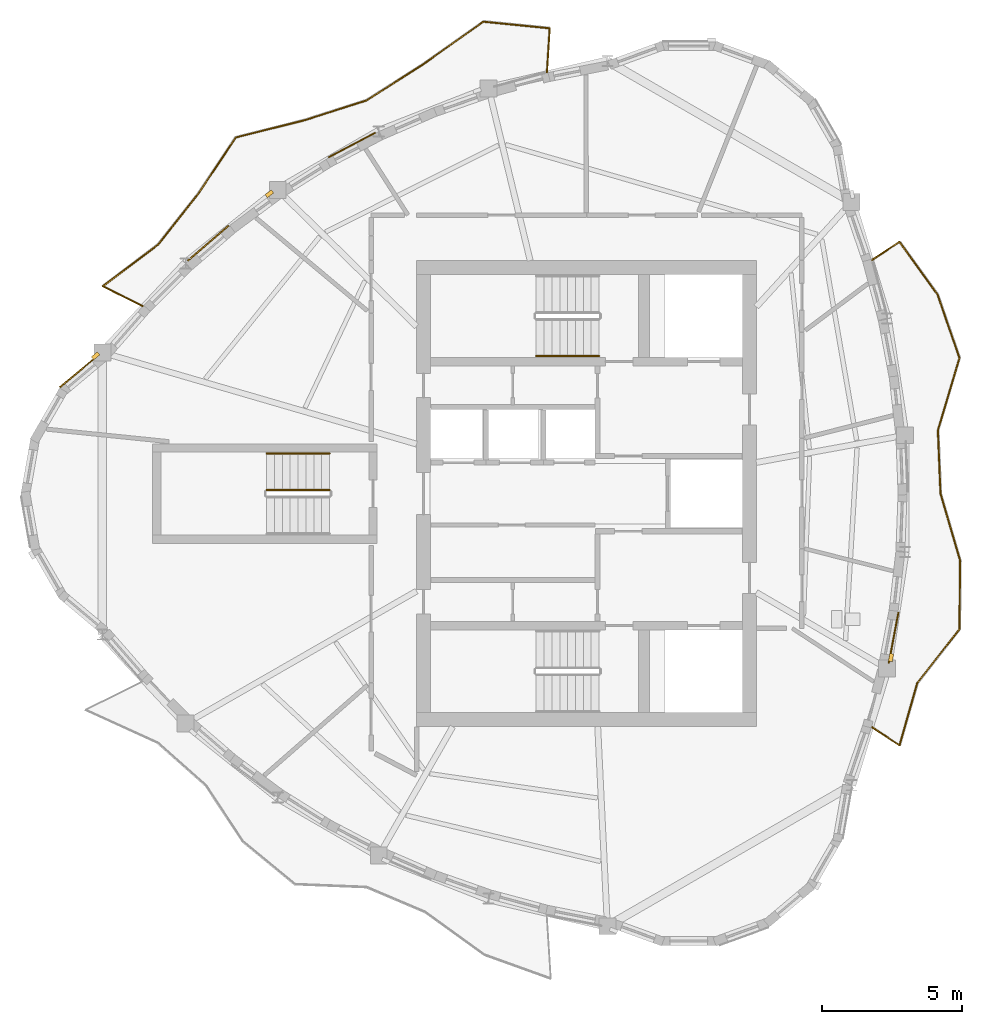
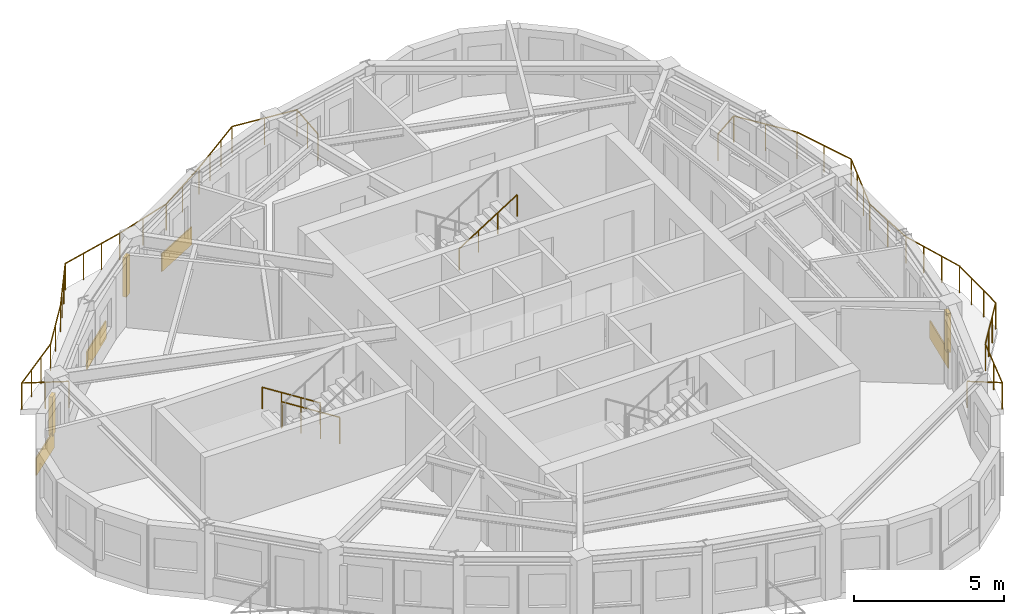
# One storey, part 9 of 11: 5 railings, 4 coverings, 3 shading devices.
"""IFC4 building model written with IfcOpenShell, lengths in metres."""

from ifc_helpers import new_model, si_unit, direction, frame, origin, origin_2d, place, context, subcontext, project, spatial, rectangle, circle, extrude, source, transform, mapped, material, layer, layer_set, type_object, element, save


model = new_model("IFC4")

# Units and contexts
model_context = context("Model", 3, precision=1e-05, world=origin(), true_north=direction((0.0, 1.0)))
body_context = subcontext(model_context, "Body", "Model", "MODEL_VIEW")
ifc_project = project(units=[si_unit("LENGTHUNIT", "METRE"), si_unit("AREAUNIT", "SQUARE_METRE"), si_unit("VOLUMEUNIT", "CUBIC_METRE"), si_unit("PLANEANGLEUNIT", "RADIAN"), si_unit("MASSUNIT", "GRAM", prefix="KILO")], contexts=[model_context])

# Site, building, storey
site_placement = place(None, origin())
site = spatial("IfcSite", under=ifc_project, at=site_placement, CompositionType="ELEMENT")
building_placement = place(site_placement, origin())
building = spatial("IfcBuilding", under=site, at=building_placement, Name="Qafzar Sky-Pleat Residences", CompositionType="ELEMENT")
storey_placement = place(building_placement, frame((0.0, 0.0, 240.39990234375)))
storey = spatial("IfcBuildingStorey", under=building, at=storey_placement, Name="L72", CompositionType="ELEMENT", Elevation=240.39990234375)

# Shading devices
ifc_material_1 = material(Name="Honed Riyadh limestone solar fin", Category="masonry")
ifc_layer_1 = layer(ifc_material_1, 0.139892578125)
ifc_layer_set_1 = layer_set([ifc_layer_1], Name="Honed Riyadh limestone solar fin")
shading_device_type = type_object("IfcShadingDeviceType", Name="SHD-FIN-STONE", PredefinedType="SHUTTER", material=ifc_layer_set_1)
shared_shape_1 = source(origin(), body_context, "Body", "SweptSolid", [
    extrude(rectangle(XDim=0.139892578125, YDim=0.280029296875, at=origin_2d()), origin(), (0.0, 0.0, 1.0), 1.60009765625),
])
for number, where, z_axis, x_axis, name in (
    (1, (12.8681640625, 30.90478515625, 0.60009765625), (0.0, 0.0, 1.0), (-0.642754210861, 0.76607246682, 0.0), "L72 Limestone Solar Fin 1"),
    (2, (41.1982421875, 20.161376953125, 0.60009765625), (0.0, 0.0, 1.0), (0.982430784042, -0.186627314633, 0.0), "L72 Limestone Solar Fin 25"),
    (3, (19.059814453125, 36.677490234375, 0.60009765625), (0.0, 0.0, 1.0), (-0.594881956884, 0.803813073652, 0.0), "L72 Limestone Solar Fin 45"),
):
    element("IfcShadingDevice", number, at=place(storey_placement, frame(where, z_axis=z_axis, x_axis=x_axis)), inside=storey, type_object=shading_device_type, Name=name, PredefinedType="SHUTTER", context=body_context, shape_type="MappedRepresentation", body=[
        mapped(shared_shape_1, transform((0.0, 0.0, 0.0), x_axis=(1.0, 0.0, 0.0), y_axis=(0.0, 1.0, 0.0), z_axis=(0.0, 0.0, 1.0), scale=1.0)),
    ])

# Covering
ifc_material_2 = material(Name="Honed Riyadh Tuwaiq limestone cladding", Category="masonry")
ifc_layer_2 = layer(ifc_material_2, 0.044921875)
ifc_layer_set_2 = layer_set([ifc_layer_2], Name="Honed Riyadh Tuwaiq limestone cladding")
covering_type = type_object("IfcCoveringType", Name="COV-CLAD-STONE", PredefinedType="CLADDING", material=ifc_layer_set_2)
shared_shape_2 = source(origin(), body_context, "Body", "SweptSolid", [
    extrude(rectangle(XDim=1.76611328125, YDim=0.044921875, at=origin_2d()), origin(), (0.0, 0.0, 1.0), 0.719970703125),
])
covering_1_placement = place(storey_placement, frame((12.275390625, 30.351318359375, 0.02001953125), z_axis=(0.0, 0.0, 1.0), x_axis=(-0.76607417096, -0.642752179762, 0.0)))
element("IfcCovering", 4, at=covering_1_placement, inside=storey, type_object=covering_type, Name="L72 Riyadh Limestone Spandrel Cladding 1", PredefinedType="CLADDING", context=body_context, shape_type="MappedRepresentation", body=[
    mapped(shared_shape_2, transform((0.0, 0.0, 0.0), x_axis=(1.0, 0.0, 0.0), y_axis=(0.0, 1.0, 0.0), z_axis=(0.0, 0.0, 1.0), scale=1.0)),
])

# Railings
ifc_material_3 = material(Name="Laminated glass and bronze steel balustrade", Category="steel")
railing_type_1 = type_object("IfcRailingType", Name="RAIL-BAL-1100", PredefinedType="BALUSTRADE", material=ifc_material_3)
shared_shape_3 = source(origin(), body_context, "Body", "SweptSolid", [
    extrude(circle(Radius=0.02392578125, at=origin_2d()), frame((0.0, 0.0, 1.076171875), z_axis=(0.832941990443, -0.553360317114, 0.0), x_axis=(0.553360317114, 0.832941990443, 0.0)), (0.0, 0.0, 1.0), 1.177978515625),
    extrude(circle(Radius=0.02392578125, at=origin_2d()), frame((0.981201171875, -0.65185546875, 1.076171875), z_axis=(0.274804820115, 0.961500031639, 0.0), x_axis=(-0.961500031639, 0.274804820115, 0.0)), (0.0, 0.0, 1.0), 2.311767578125),
    extrude(circle(Radius=0.02392578125, at=origin_2d()), frame((1.616455078125, 1.57080078125, 1.076171875), z_axis=(0.616921962432, 0.787024327622, 0.0), x_axis=(-0.787024327622, 0.616921962432, 0.0)), (0.0, 0.0, 1.0), 2.43408203125),
    extrude(circle(Radius=0.02392578125, at=origin_2d()), frame((3.1181640625, 3.486572265625, 1.076171875), z_axis=(0.009459843576, 0.999955254679, 0.0), x_axis=(-0.999955254679, 0.009459843576, 0.0)), (0.0, 0.0, 1.0), 2.45166015625),
    extrude(circle(Radius=0.02392578125, at=origin_2d()), frame((3.141357421875, 5.938232421875, 1.076171875), z_axis=(-0.282123613587, 0.959378062422, 0.0), x_axis=(-0.959378062422, -0.282123613587, 0.0)), (0.0, 0.0, 1.0), 2.475830078125),
    extrude(circle(Radius=0.02392578125, at=origin_2d()), frame((2.44287109375, 8.3134765625, 1.076171875), z_axis=(-0.04099614339, 0.999159304729, 0.0), x_axis=(-0.999159304729, -0.04099614339, 0.0)), (0.0, 0.0, 1.0), 2.257080078125),
    extrude(circle(Radius=0.02392578125, at=origin_2d()), frame((2.350341796875, 10.568603515625, 1.076171875), z_axis=(0.28607915641, 0.958205988432, 0.0), x_axis=(-0.958205988432, 0.28607915641, 0.0)), (0.0, 0.0, 1.0), 2.683837890625),
    extrude(circle(Radius=0.02392578125, at=origin_2d()), frame((3.1181640625, 13.140380859375, 1.076171875), z_axis=(-0.326044180463, 0.945354532642, 0.0), x_axis=(-0.945354532642, -0.326044180463, 0.0)), (0.0, 0.0, 1.0), 2.390869140625),
    extrude(circle(Radius=0.02392578125, at=origin_2d()), frame((2.338623046875, 15.400634765625, 1.076171875), z_axis=(-0.58576362681, 0.810481939038, 0.0), x_axis=(-0.810481939038, -0.58576362681, 0.0)), (0.0, 0.0, 1.0), 2.3173828125),
    extrude(circle(Radius=0.02392578125, at=origin_2d()), frame((0.981201171875, 17.27880859375, 1.076171875), z_axis=(-0.832941990443, -0.553360317114, 0.0), x_axis=(0.553360317114, -0.832941990443, 0.0)), (0.0, 0.0, 1.0), 1.177978515625),
    extrude(circle(Radius=0.02099609375, at=origin_2d()), origin(), (0.0, 0.0, 1.0), 1.052001953125),
    extrude(circle(Radius=0.02099609375, at=origin_2d()), frame((0.981201171875, -0.65185546875, 0.0)), (0.0, 0.0, 1.0), 1.052001953125),
    extrude(circle(Radius=0.02099609375, at=origin_2d()), frame((1.298828125, 0.45947265625, 0.0)), (0.0, 0.0, 1.0), 1.052001953125),
    extrude(circle(Radius=0.02099609375, at=origin_2d()), frame((1.616455078125, 1.57080078125, 0.0)), (0.0, 0.0, 1.0), 1.052001953125),
    extrude(circle(Radius=0.02099609375, at=origin_2d()), frame((2.116943359375, 2.20947265625, 0.0)), (0.0, 0.0, 1.0), 1.052001953125),
    extrude(circle(Radius=0.02099609375, at=origin_2d()), frame((2.61767578125, 2.847900390625, 0.0)), (0.0, 0.0, 1.0), 1.052001953125),
    extrude(circle(Radius=0.02099609375, at=origin_2d()), frame((3.1181640625, 3.486572265625, 0.0)), (0.0, 0.0, 1.0), 1.052001953125),
    extrude(circle(Radius=0.02099609375, at=origin_2d()), frame((3.1259765625, 4.3037109375, 0.0)), (0.0, 0.0, 1.0), 1.052001953125),
    extrude(circle(Radius=0.02099609375, at=origin_2d()), frame((3.133544921875, 5.12109375, 0.0)), (0.0, 0.0, 1.0), 1.052001953125),
    extrude(circle(Radius=0.02099609375, at=origin_2d()), frame((3.141357421875, 5.938232421875, 0.0)), (0.0, 0.0, 1.0), 1.052001953125),
    extrude(circle(Radius=0.02099609375, at=origin_2d()), frame((2.908447265625, 6.72998046875, 0.0)), (0.0, 0.0, 1.0), 1.052001953125),
    extrude(circle(Radius=0.02099609375, at=origin_2d()), frame((2.67578125, 7.521728515625, 0.0)), (0.0, 0.0, 1.0), 1.052001953125),
    extrude(circle(Radius=0.02099609375, at=origin_2d()), frame((2.44287109375, 8.3134765625, 0.0)), (0.0, 0.0, 1.0), 1.052001953125),
    extrude(circle(Radius=0.02099609375, at=origin_2d()), frame((2.396484375, 9.44091796875, 0.0)), (0.0, 0.0, 1.0), 1.052001953125),
    extrude(circle(Radius=0.02099609375, at=origin_2d()), frame((2.350341796875, 10.568603515625, 0.0)), (0.0, 0.0, 1.0), 1.052001953125),
    extrude(circle(Radius=0.02099609375, at=origin_2d()), frame((2.606201171875, 11.42578125, 0.0)), (0.0, 0.0, 1.0), 1.052001953125),
    extrude(circle(Radius=0.02099609375, at=origin_2d()), frame((2.8623046875, 12.283203125, 0.0)), (0.0, 0.0, 1.0), 1.052001953125),
    extrude(circle(Radius=0.02099609375, at=origin_2d()), frame((3.1181640625, 13.140380859375, 0.0)), (0.0, 0.0, 1.0), 1.052001953125),
    extrude(circle(Radius=0.02099609375, at=origin_2d()), frame((2.728515625, 14.2705078125, 0.0)), (0.0, 0.0, 1.0), 1.052001953125),
    extrude(circle(Radius=0.02099609375, at=origin_2d()), frame((2.338623046875, 15.400634765625, 0.0)), (0.0, 0.0, 1.0), 1.052001953125),
    extrude(circle(Radius=0.02099609375, at=origin_2d()), frame((1.659912109375, 16.33984375, 0.0)), (0.0, 0.0, 1.0), 1.052001953125),
    extrude(circle(Radius=0.02099609375, at=origin_2d()), frame((0.981201171875, 17.27880859375, 0.0)), (0.0, 0.0, 1.0), 1.052001953125),
    extrude(circle(Radius=0.02099609375, at=origin_2d()), frame((0.0, 16.626953125, 0.0)), (0.0, 0.0, 1.0), 1.052001953125),
])
railing_1_placement = place(storey_placement, frame((40.51513671875, 17.6865234375, 0.0)))
element("IfcRailing", 5, at=railing_1_placement, inside=storey, type_object=railing_type_1, Name="L72 Pleated Balcony 1 Balustrade", PredefinedType="BALUSTRADE", context=body_context, shape_type="MappedRepresentation", body=[
    mapped(shared_shape_3, transform((0.0, 0.0, 0.0), x_axis=(1.0, 0.0, 0.0), y_axis=(0.0, 1.0, 0.0), z_axis=(0.0, 0.0, 1.0), scale=1.0)),
])
shared_shape_4 = source(origin(), body_context, "Body", "SweptSolid", [
    extrude(circle(Radius=0.02392578125, at=origin_2d()), frame((0.0, 0.0, 1.076171875), z_axis=(0.062657604735, 0.998035081833, 0.0), x_axis=(-0.998035081833, 0.062657604735, 0.0)), (0.0, 0.0, 1.0), 1.578125),
    extrude(circle(Radius=0.02392578125, at=origin_2d()), frame((0.098876953125, 1.574951171875, 1.076171875), z_axis=(-0.995050421946, 0.099371312685, 0.0), x_axis=(-0.099371312685, -0.995050421946, 0.0)), (0.0, 0.0, 1.0), 2.373291015625),
    extrude(circle(Radius=0.02392578125, at=origin_2d()), frame((-2.2626953125, 1.810791015625, 1.076171875), z_axis=(-0.816384894567, -0.577508185157, 0.0), x_axis=(0.577508185157, -0.816384894567, 0.0)), (0.0, 0.0, 1.0), 2.648193359375),
    extrude(circle(Radius=0.02392578125, at=origin_2d()), frame((-4.424560546875, 0.281494140625, 1.076171875), z_axis=(-0.842824773655, -0.538188072066, 0.0), x_axis=(0.538188072066, -0.842824773655, 0.0)), (0.0, 0.0, 1.0), 2.369873046875),
    extrude(circle(Radius=0.02392578125, at=origin_2d()), frame((-6.421875, -0.993896484375, 1.076171875), z_axis=(-0.952747816734, -0.303762403382, 0.0), x_axis=(0.303762403382, -0.952747816734, 0.0)), (0.0, 0.0, 1.0), 2.308349609375),
    extrude(circle(Radius=0.02392578125, at=origin_2d()), frame((-8.62109375, -1.695068359375, 1.076171875), z_axis=(-0.969892452892, -0.24353363181, 0.0), x_axis=(0.24353363181, -0.969892452892, 0.0)), (0.0, 0.0, 1.0), 2.5322265625),
    extrude(circle(Radius=0.02392578125, at=origin_2d()), frame((-11.0771484375, -2.311767578125, 1.076171875), z_axis=(-0.555023477962, -0.831834682441, 0.0), x_axis=(0.831834682441, -0.555023477962, 0.0)), (0.0, 0.0, 1.0), 2.439453125),
    extrude(circle(Radius=0.02392578125, at=origin_2d()), frame((-12.43115234375, -4.341064453125, 1.076171875), z_axis=(-0.621031998017, -0.783785211291, 0.0), x_axis=(0.783785211291, -0.621031998017, 0.0)), (0.0, 0.0, 1.0), 2.280029296875),
    extrude(circle(Radius=0.02392578125, at=origin_2d()), frame((-13.84716796875, -6.128173828125, 1.076171875), z_axis=(-0.798188250997, -0.60240809753, 0.0), x_axis=(0.60240809753, -0.798188250997, 0.0)), (0.0, 0.0, 1.0), 2.462890625),
    extrude(circle(Radius=0.02392578125, at=origin_2d()), frame((-15.81298828125, -7.61181640625, 1.076171875), z_axis=(0.895661295067, -0.444736826134, 0.0), x_axis=(0.444736826134, 0.895661295067, 0.0)), (0.0, 0.0, 1.0), 1.578125),
    extrude(circle(Radius=0.02099609375, at=origin_2d()), origin(), (0.0, 0.0, 1.0), 1.052001953125),
    extrude(circle(Radius=0.02099609375, at=origin_2d()), frame((0.04931640625, 0.78759765625, 0.0)), (0.0, 0.0, 1.0), 1.052001953125),
    extrude(circle(Radius=0.02099609375, at=origin_2d()), frame((0.098876953125, 1.574951171875, 0.0)), (0.0, 0.0, 1.0), 1.052001953125),
    extrude(circle(Radius=0.02099609375, at=origin_2d()), frame((-1.08203125, 1.69287109375, 0.0)), (0.0, 0.0, 1.0), 1.052001953125),
    extrude(circle(Radius=0.02099609375, at=origin_2d()), frame((-2.2626953125, 1.810791015625, 0.0)), (0.0, 0.0, 1.0), 1.052001953125),
    extrude(circle(Radius=0.02099609375, at=origin_2d()), frame((-2.9833984375, 1.301025390625, 0.0)), (0.0, 0.0, 1.0), 1.052001953125),
    extrude(circle(Radius=0.02099609375, at=origin_2d()), frame((-3.703857421875, 0.791259765625, 0.0)), (0.0, 0.0, 1.0), 1.052001953125),
    extrude(circle(Radius=0.02099609375, at=origin_2d()), frame((-4.424560546875, 0.281494140625, 0.0)), (0.0, 0.0, 1.0), 1.052001953125),
    extrude(circle(Radius=0.02099609375, at=origin_2d()), frame((-5.42333984375, -0.356201171875, 0.0)), (0.0, 0.0, 1.0), 1.052001953125),
    extrude(circle(Radius=0.02099609375, at=origin_2d()), frame((-6.421875, -0.993896484375, 0.0)), (0.0, 0.0, 1.0), 1.052001953125),
    extrude(circle(Radius=0.02099609375, at=origin_2d()), frame((-7.521484375, -1.344482421875, 0.0)), (0.0, 0.0, 1.0), 1.052001953125),
    extrude(circle(Radius=0.02099609375, at=origin_2d()), frame((-8.62109375, -1.695068359375, 0.0)), (0.0, 0.0, 1.0), 1.052001953125),
    extrude(circle(Radius=0.02099609375, at=origin_2d()), frame((-9.439697265625, -1.900634765625, 0.0)), (0.0, 0.0, 1.0), 1.052001953125),
    extrude(circle(Radius=0.02099609375, at=origin_2d()), frame((-10.258544921875, -2.106201171875, 0.0)), (0.0, 0.0, 1.0), 1.052001953125),
    extrude(circle(Radius=0.02099609375, at=origin_2d()), frame((-11.0771484375, -2.311767578125, 0.0)), (0.0, 0.0, 1.0), 1.052001953125),
    extrude(circle(Radius=0.02099609375, at=origin_2d()), frame((-11.528564453125, -2.98828125, 0.0)), (0.0, 0.0, 1.0), 1.052001953125),
    extrude(circle(Radius=0.02099609375, at=origin_2d()), frame((-11.979736328125, -3.66455078125, 0.0)), (0.0, 0.0, 1.0), 1.052001953125),
    extrude(circle(Radius=0.02099609375, at=origin_2d()), frame((-12.43115234375, -4.341064453125, 0.0)), (0.0, 0.0, 1.0), 1.052001953125),
    extrude(circle(Radius=0.02099609375, at=origin_2d()), frame((-13.13916015625, -5.234619140625, 0.0)), (0.0, 0.0, 1.0), 1.052001953125),
    extrude(circle(Radius=0.02099609375, at=origin_2d()), frame((-13.84716796875, -6.128173828125, 0.0)), (0.0, 0.0, 1.0), 1.052001953125),
    extrude(circle(Radius=0.02099609375, at=origin_2d()), frame((-14.50244140625, -6.622802734375, 0.0)), (0.0, 0.0, 1.0), 1.052001953125),
    extrude(circle(Radius=0.02099609375, at=origin_2d()), frame((-15.15771484375, -7.1171875, 0.0)), (0.0, 0.0, 1.0), 1.052001953125),
    extrude(circle(Radius=0.02099609375, at=origin_2d()), frame((-15.81298828125, -7.61181640625, 0.0)), (0.0, 0.0, 1.0), 1.052001953125),
    extrude(circle(Radius=0.02099609375, at=origin_2d()), frame((-15.106201171875, -7.962890625, 0.0)), (0.0, 0.0, 1.0), 1.052001953125),
    extrude(circle(Radius=0.02099609375, at=origin_2d()), frame((-14.3994140625, -8.313720703125, 0.0)), (0.0, 0.0, 1.0), 1.052001953125),
])
railing_2_placement = place(storey_placement, frame((28.942138671875, 40.995361328125, 0.0)))
element("IfcRailing", 6, at=railing_2_placement, inside=storey, type_object=railing_type_1, Name="L72 Pleated Balcony 2 Balustrade", PredefinedType="BALUSTRADE", context=body_context, shape_type="MappedRepresentation", body=[
    mapped(shared_shape_4, transform((0.0, 0.0, 0.0), x_axis=(1.0, 0.0, 0.0), y_axis=(0.0, 1.0, 0.0), z_axis=(0.0, 0.0, 1.0), scale=1.0)),
])

# Coverings
shared_shape_5 = source(origin(), body_context, "Body", "SweptSolid", [
    extrude(rectangle(XDim=1.855712890625, YDim=0.044921875, at=origin_2d()), origin(), (0.0, 0.0, 1.0), 0.719970703125),
])
covering_2_placement = place(storey_placement, frame((41.28857421875, 20.866943359375, 0.02001953125), z_axis=(0.0, 0.0, 1.0), x_axis=(0.186630686813, 0.98243014344, 0.0)))
element("IfcCovering", 7, at=covering_2_placement, inside=storey, type_object=covering_type, Name="L72 Riyadh Limestone Spandrel Cladding 25", PredefinedType="CLADDING", context=body_context, shape_type="MappedRepresentation", body=[
    mapped(shared_shape_5, transform((0.0, 0.0, 0.0), x_axis=(1.0, 0.0, 0.0), y_axis=(0.0, 1.0, 0.0), z_axis=(0.0, 0.0, 1.0), scale=1.0)),
])
shared_shape_6 = source(origin(), body_context, "Body", "SweptSolid", [
    extrude(rectangle(XDim=1.88671875, YDim=0.044921875, at=origin_2d()), origin(), (0.0, 0.0, 1.0), 0.719970703125),
])
covering_3_placement = place(storey_placement, frame((21.9990234375, 38.414306640625, 0.02001953125), z_axis=(0.0, 0.0, 1.0), x_axis=(-0.884363965403, -0.46679800417, 0.0)))
element("IfcCovering", 8, at=covering_3_placement, inside=storey, type_object=covering_type, Name="L72 Riyadh Limestone Spandrel Cladding 43", PredefinedType="CLADDING", context=body_context, shape_type="MappedRepresentation", body=[
    mapped(shared_shape_6, transform((0.0, 0.0, 0.0), x_axis=(1.0, 0.0, 0.0), y_axis=(0.0, 1.0, 0.0), z_axis=(0.0, 0.0, 1.0), scale=1.0)),
])
shared_shape_7 = source(origin(), body_context, "Body", "SweptSolid", [
    extrude(rectangle(XDim=1.918701171875, YDim=0.044921875, at=origin_2d()), origin(), (0.0, 0.0, 1.0), 0.719970703125),
])
covering_4_placement = place(storey_placement, frame((16.8837890625, 34.918701171875, 0.02001953125), z_axis=(0.0, 0.0, 1.0), x_axis=(-0.757495550636, -0.652840325628, 0.0)))
element("IfcCovering", 9, at=covering_4_placement, inside=storey, type_object=covering_type, Name="L72 Riyadh Limestone Spandrel Cladding 46", PredefinedType="CLADDING", context=body_context, shape_type="MappedRepresentation", body=[
    mapped(shared_shape_7, transform((0.0, 0.0, 0.0), x_axis=(1.0, 0.0, 0.0), y_axis=(0.0, 1.0, 0.0), z_axis=(0.0, 0.0, 1.0), scale=1.0)),
])

# Railings
ifc_material_4 = material(Name="Painted Steel S355 stair guardrail", Category="steel")
railing_type_2 = type_object("IfcRailingType", Name="RAIL-STAIR-GUARD", PredefinedType="GUARDRAIL", material=ifc_material_4)
shared_shape_8 = source(origin(), body_context, "Body", "SweptSolid", [
    extrude(circle(Radius=0.02392578125, at=origin_2d()), frame((0.0, 0.0, 1.076171875), z_axis=(-0.8442293374, 0.0, 0.53598211339), x_axis=(0.0, -1.0, 0.0)), (0.0, 0.0, 1.0), 2.6533203125),
    extrude(circle(Radius=0.02099609375, at=origin_2d()), origin(), (0.0, 0.0, 1.0), 1.052001953125),
    extrude(circle(Radius=0.02099609375, at=origin_2d()), frame((-0.74658203125, 0.0, 0.47412109375)), (0.0, 0.0, 1.0), 1.052001953125),
    extrude(circle(Radius=0.02099609375, at=origin_2d()), frame((-1.493408203125, 0.0, 0.947998046875)), (0.0, 0.0, 1.0), 1.052001953125),
    extrude(circle(Radius=0.02099609375, at=origin_2d()), frame((-2.239990234375, 0.0, 1.422119140625)), (0.0, 0.0, 1.0), 1.052001953125),
])
railing_3_placement = place(storey_placement, frame((21.199951171875, 26.125, 0.177978515625)))
element("IfcRailing", 10, at=railing_3_placement, inside=storey, type_object=railing_type_2, Name="L72 ST3 stair guard 1", PredefinedType="GUARDRAIL", context=body_context, shape_type="MappedRepresentation", body=[
    mapped(shared_shape_8, transform((0.0, 0.0, 0.0), x_axis=(1.0, 0.0, 0.0), y_axis=(0.0, 1.0, 0.0), z_axis=(0.0, 0.0, 1.0), scale=1.0)),
])
ifc_material_5 = material(Name="Brushed stainless steel handrail", Category="steel")
railing_type_3 = type_object("IfcRailingType", Name="RAIL-STAIR-HAND", PredefinedType="HANDRAIL", material=ifc_material_5)
shared_shape_9 = source(origin(), body_context, "Body", "SweptSolid", [
    extrude(circle(Radius=0.02392578125, at=origin_2d()), frame((0.0, 0.0, 0.8759765625), z_axis=(-0.8442293374, 0.0, 0.53598211339), x_axis=(0.0, -1.0, 0.0)), (0.0, 0.0, 1.0), 2.6533203125),
    extrude(circle(Radius=0.02099609375, at=origin_2d()), origin(), (0.0, 0.0, 1.0), 0.851806640625),
    extrude(circle(Radius=0.02099609375, at=origin_2d()), frame((-0.74658203125, 0.0, 0.47412109375)), (0.0, 0.0, 1.0), 0.851806640625),
    extrude(circle(Radius=0.02099609375, at=origin_2d()), frame((-1.493408203125, 0.0, 0.947998046875)), (0.0, 0.0, 1.0), 0.851806640625),
    extrude(circle(Radius=0.02099609375, at=origin_2d()), frame((-2.239990234375, 0.0, 1.422119140625)), (0.0, 0.0, 1.0), 0.851806640625),
])
railing_4_placement = place(storey_placement, frame((21.199951171875, 27.425048828125, 0.177978515625)))
element("IfcRailing", 11, at=railing_4_placement, inside=storey, type_object=railing_type_3, Name="L72 ST3 stair handrail 1", PredefinedType="HANDRAIL", context=body_context, shape_type="MappedRepresentation", body=[
    mapped(shared_shape_9, transform((0.0, 0.0, 0.0), x_axis=(1.0, 0.0, 0.0), y_axis=(0.0, 1.0, 0.0), z_axis=(0.0, 0.0, 1.0), scale=1.0)),
])
shared_shape_10 = source(origin(), body_context, "Body", "SweptSolid", [
    extrude(circle(Radius=0.02392578125, at=origin_2d()), frame((0.0, 0.0, 0.8759765625), z_axis=(0.84418770128, 0.0, 0.536047689118), x_axis=(0.0, 1.0, 0.0)), (0.0, 0.0, 1.0), 2.6533203125),
    extrude(circle(Radius=0.02099609375, at=origin_2d()), origin(), (0.0, 0.0, 1.0), 0.851806640625),
    extrude(circle(Radius=0.02099609375, at=origin_2d()), frame((0.74658203125, 0.0, 0.47412109375)), (0.0, 0.0, 1.0), 0.851806640625),
    extrude(circle(Radius=0.02099609375, at=origin_2d()), frame((1.493408203125, 0.0, 0.9482421875)), (0.0, 0.0, 1.0), 0.851806640625),
    extrude(circle(Radius=0.02099609375, at=origin_2d()), frame((2.239990234375, 0.0, 1.42236328125)), (0.0, 0.0, 1.0), 0.851806640625),
])
railing_5_placement = place(storey_placement, frame((28.56005859375, 30.89990234375, 1.77783203125)))
element("IfcRailing", 12, at=railing_5_placement, inside=storey, type_object=railing_type_3, Name="L72 ST2 stair handrail 2", PredefinedType="HANDRAIL", context=body_context, shape_type="MappedRepresentation", body=[
    mapped(shared_shape_10, transform((0.0, 0.0, 0.0), x_axis=(1.0, 0.0, 0.0), y_axis=(0.0, 1.0, 0.0), z_axis=(0.0, 0.0, 1.0), scale=1.0)),
])

save(model, "model.ifc")
